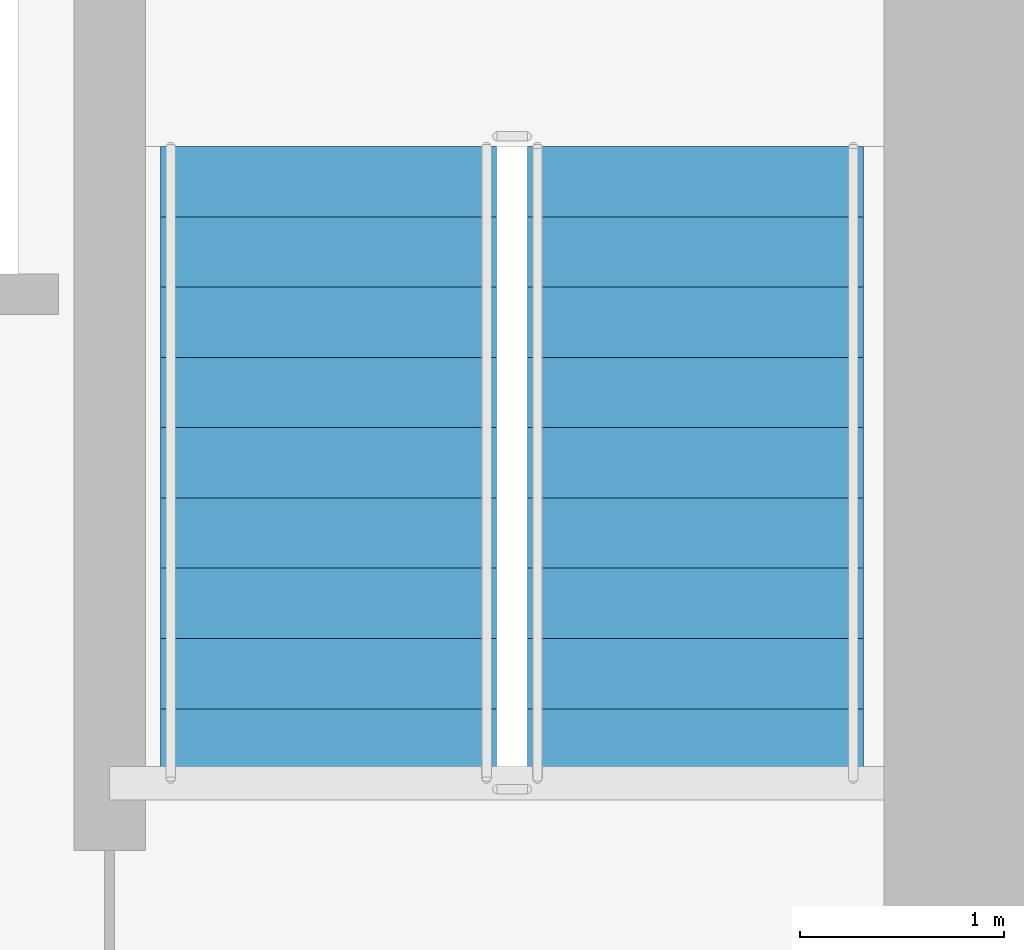
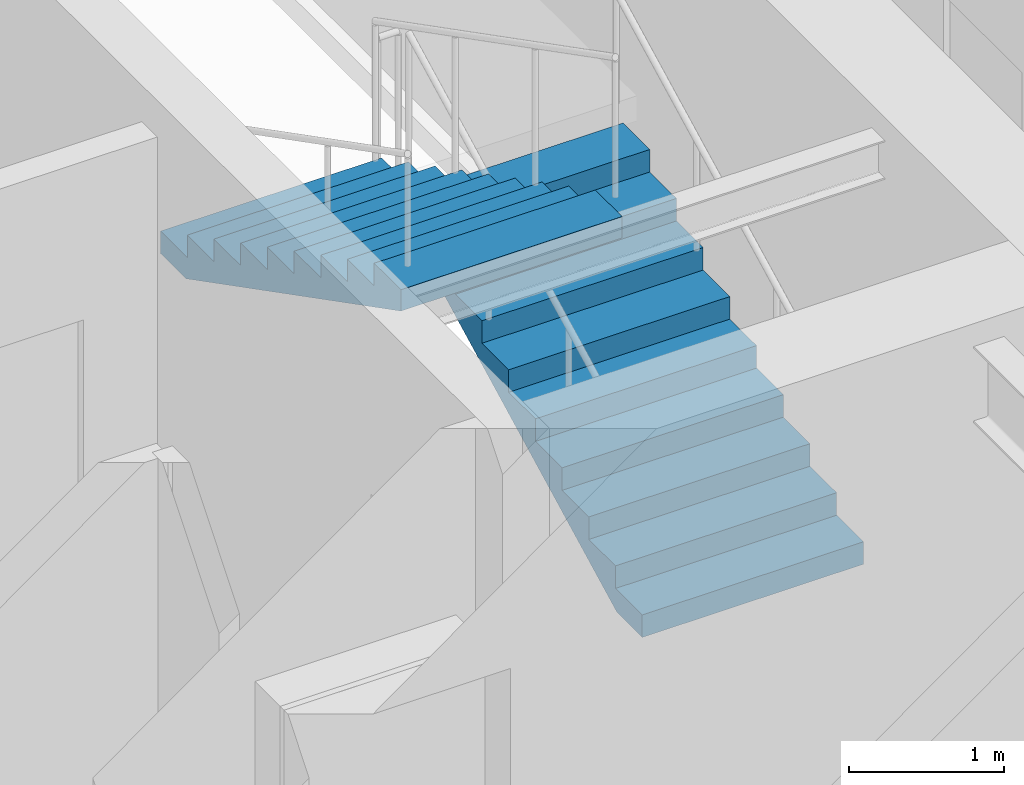
# One storey, part 15 of 20: 2 stair flights, 1 element without a shape of its own.
"""IFC4 building model written with IfcOpenShell, lengths in metres."""

from ifc_helpers import new_model, si_unit, direction, frame, origin, place, context, subcontext, project, spatial, polyline, outline, extrude, material, type_object, element, aggregate, save


model = new_model("IFC4")

# Units and contexts
model_context = context("Model", 3, precision=1e-05, world=origin(), true_north=direction((0.0, 1.0)))
body_context = subcontext(model_context, "Body", "Model", "MODEL_VIEW")
ifc_project = project(units=[si_unit("LENGTHUNIT", "METRE"), si_unit("AREAUNIT", "SQUARE_METRE"), si_unit("VOLUMEUNIT", "CUBIC_METRE"), si_unit("PLANEANGLEUNIT", "RADIAN"), si_unit("MASSUNIT", "GRAM", prefix="KILO")], contexts=[model_context])

# Site, building, storey
site_placement = place(None, origin())
site = spatial("IfcSite", under=ifc_project, at=site_placement, CompositionType="ELEMENT")
building_placement = place(site_placement, origin())
building = spatial("IfcBuilding", under=site, at=building_placement, Name="Tolvann Quenvar Hotel", CompositionType="ELEMENT")
storey_placement = place(building_placement, frame((0.0, 0.0, 191.10009765625)))
storey = spatial("IfcBuildingStorey", under=building, at=storey_placement, Name="L50", CompositionType="ELEMENT", Elevation=191.10009765625)

# Stair, stair flights
ifc_material = material(Name="Concrete N40 (40 MPa)", Category="concrete")
stair_type = type_object("IfcStairType", Name="STAIR", PredefinedType="HALF_TURN_STAIR", material=ifc_material)
stair_placement = place(storey_placement, origin())
stair = element("IfcStair", 1, at=stair_placement, inside=storey, type_object=stair_type, Name="L50 ST-C2", PredefinedType="HALF_TURN_STAIR")
stair_flight_type = type_object("IfcStairFlightType", Name="STAIR_FLIGHT", PredefinedType="STRAIGHT", material=ifc_material)
stair_flight_1_placement = place(storey_placement, frame((34.574951171875, 34.0, 0.0), z_axis=(0.0, 0.0, 1.0), x_axis=(0.0, 1.0, 0.0)))
stair_flight_1 = element("IfcStairFlight", 2, at=stair_flight_1_placement, type_object=stair_flight_type, Name="ST-C2 flight 1", NumberOfRisers=10, NumberOfTreads=9, PredefinedType="STRAIGHT", RiserHeight=0.1775, TreadLength=0.345, context=body_context, shape_type="SweptSolid", body=[
    extrude(outline(polyline([(0.0, 0.0), (0.0, 0.177490234375), (0.344970703125, 0.177490234375), (0.344970703125, 0.35498046875), (0.68994140625, 0.35498046875), (0.68994140625, 0.532470703125), (1.034912109375, 0.532470703125), (1.034912109375, 0.7099609375), (1.3798828125, 0.7099609375), (1.3798828125, 0.887451171875), (1.72509765625, 0.887451171875), (1.72509765625, 1.06494140625), (2.070068359375, 1.06494140625), (2.070068359375, 1.242431640625), (2.4150390625, 1.242431640625), (2.4150390625, 1.419921875), (2.760009765625, 1.419921875), (2.760009765625, 1.597412109375), (3.10498046875, 1.597412109375), (3.10498046875, 1.77490234375), (3.10498046875, 1.428955078125), (0.32763671875, 0.0), (0.0, 0.0)])), frame((0.0, 0.824951171875, 0.0), z_axis=(0.0, -1.0, 0.0), x_axis=(1.0, 0.0, 0.0)), (0.0, 0.0, 1.0), 1.64990234375),
])
stair_flight_2_placement = place(storey_placement, frame((32.77490234375, 37.10498046875, 1.77490234375), z_axis=(0.0, 0.0, 1.0), x_axis=(0.0, -1.0, 0.0)))
stair_flight_2 = element("IfcStairFlight", 3, at=stair_flight_2_placement, type_object=stair_flight_type, Name="ST-C2 flight 2", NumberOfRisers=10, NumberOfTreads=9, PredefinedType="STRAIGHT", RiserHeight=0.1775, TreadLength=0.345, context=body_context, shape_type="SweptSolid", body=[
    extrude(outline(polyline([(0.0, 0.0), (0.0, 0.177490234375), (0.344970703125, 0.177490234375), (0.344970703125, 0.35498046875), (0.68994140625, 0.35498046875), (0.68994140625, 0.532470703125), (1.034912109375, 0.532470703125), (1.034912109375, 0.7099609375), (1.3798828125, 0.7099609375), (1.3798828125, 0.887451171875), (1.72509765625, 0.887451171875), (1.72509765625, 1.06494140625), (2.070068359375, 1.06494140625), (2.070068359375, 1.242431640625), (2.4150390625, 1.242431640625), (2.4150390625, 1.419921875), (2.760009765625, 1.419921875), (2.760009765625, 1.597412109375), (3.10498046875, 1.597412109375), (3.10498046875, 1.77490234375), (3.10498046875, 1.428955078125), (0.32763671875, 0.0), (0.0, 0.0)])), frame((0.0, 0.824951171875, 0.0), z_axis=(0.0, -1.0, 0.0), x_axis=(1.0, 0.0, 0.0)), (0.0, 0.0, 1.0), 1.64990234375),
])
aggregate(stair, [stair_flight_1, stair_flight_2])

save(model, "model.ifc")
